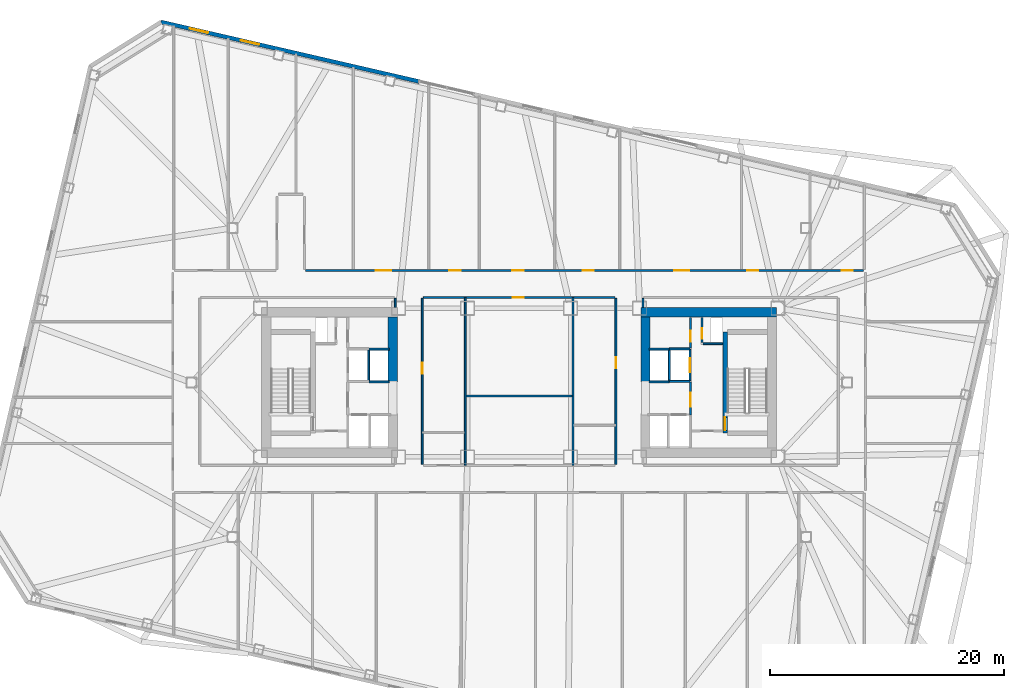
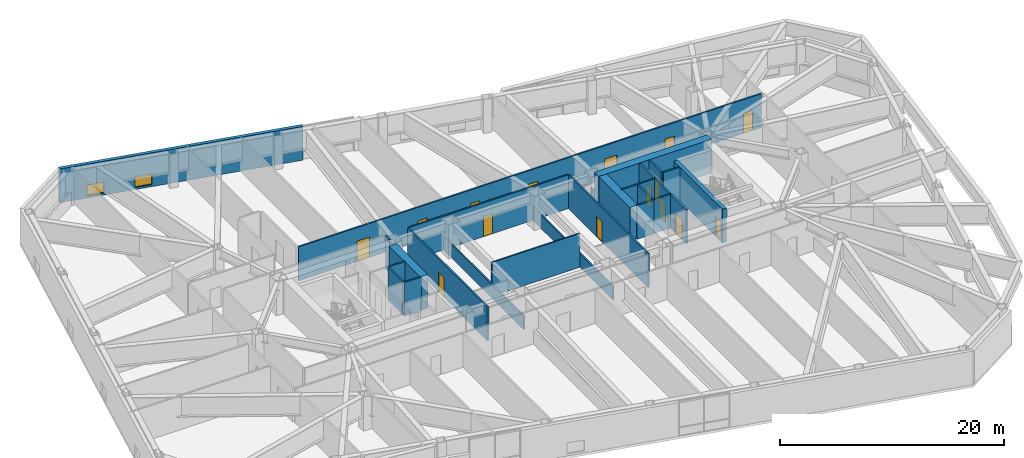
# One storey, part 12 of 19: 27 walls, 15 doors, 2 windows, 17 openings.
"""IFC4 building model written with IfcOpenShell, lengths in metres."""

from ifc_helpers import new_model, si_unit, direction, frame, frame_2d, origin, place, context, subcontext, project, spatial, rectangle, extrude, material, layer, layer_set, type_object, element, fill, save


model = new_model("IFC4")

# Units and contexts
model_context = context("Model", 3, precision=1e-05, world=origin(), true_north=direction((0.0, 1.0)))
body_context = subcontext(model_context, "Body", "Model", "MODEL_VIEW")
ifc_project = project(units=[si_unit("LENGTHUNIT", "METRE"), si_unit("AREAUNIT", "SQUARE_METRE"), si_unit("VOLUMEUNIT", "CUBIC_METRE"), si_unit("PLANEANGLEUNIT", "RADIAN"), si_unit("MASSUNIT", "GRAM", prefix="KILO")], contexts=[model_context])

# Site, building, storey
site_placement = place(None, origin())
site = spatial("IfcSite", under=ifc_project, at=site_placement, CompositionType="ELEMENT")
building_placement = place(site_placement, origin())
building = spatial("IfcBuilding", under=site, at=building_placement, Name="Tavrogorsk Clinical Tower", CompositionType="ELEMENT")
storey_placement = place(building_placement, frame((0.0, 0.0, 79.39990234375)))
storey = spatial("IfcBuildingStorey", under=building, at=storey_placement, Name="L17", CompositionType="ELEMENT", Elevation=79.39990234375)

# Wall, opening, door
ifc_material_1 = material(Name="Concrete B60", Category="concrete")
ifc_layer_1 = layer(ifc_material_1, 0.199951171875)
ifc_layer_set_1 = layer_set([ifc_layer_1], Name="Concrete B60")
wall_type_1 = type_object("IfcWallType", Name="CoreFireWall_200", PredefinedType="SOLIDWALL", material=ifc_layer_set_1)
wall_1_placement = place(storey_placement, frame((14.639892578125, 2.9599609375, 0.0), z_axis=(0.0, 0.0, 1.0), x_axis=(0.0, 1.0, 0.0)))
wall_1 = element("IfcWall", 1, at=wall_1_placement, inside=storey, type_object=wall_type_1, Name="L17 Core East North Core Room East Wall", PredefinedType="SOLIDWALL", context=body_context, shape_type="SweptSolid", body=[
    extrude(rectangle(XDim=2.60009765625, YDim=0.199951171875, at=frame_2d((1.300048828125, 0.0))), origin(), (0.0, 0.0, 1.0), 3.68017578125),
])
opening_1_placement = place(wall_1_placement, frame((0.52001953125, 0.0, 0.0)))
opening_1 = element("IfcOpeningElement", 2, at=opening_1_placement, cuts=wall_1, Name="Opening ID-02", PredefinedType="OPENING", context=body_context, shape_type="SweptSolid", body=[
    extrude(rectangle(XDim=0.949951171875, YDim=2.199951171875, at=frame_2d((0.47509765625, 1.10009765625))), frame((0.0, 0.10986328125, 0.0), z_axis=(0.0, -1.0, 0.0), x_axis=(1.0, 0.0, 0.0)), (0.0, 0.0, 1.0), 0.219970703125),
])
ifc_material_2 = material(Name="Laminated timber leaf on aluminium frame", Category="wood")
door_type_1 = type_object("IfcDoorType", Name="InteriorDoor_ID02_950", OperationType="NOTDEFINED", PredefinedType="DOOR", material=ifc_material_2)
door_1_placement = place(opening_1_placement, origin())
door_1 = element("IfcDoor", 3, at=door_1_placement, inside=storey, type_object=door_type_1, Name="L17 Core East Core Telemetry Room Door", OperationType="SINGLE_SWING_LEFT", OverallHeight=2.199951171875, OverallWidth=0.949951171875, PredefinedType="DOOR", context=body_context, shape_type="SweptSolid", body=[
    extrude(rectangle(XDim=0.949951171875, YDim=2.199951171875, at=frame_2d((0.47509765625, 1.10009765625))), frame((0.0, 0.02490234375, 0.0), z_axis=(0.0, -1.0, 0.0), x_axis=(1.0, 0.0, 0.0)), (0.0, 0.0, 1.0), 0.050048828125),
])
fill(opening_1, door_1)

wall_2_placement = place(storey_placement, frame((14.639892578125, -2.780029296875, 0.0), z_axis=(0.0, 0.0, 1.0), x_axis=(0.0, 1.0, 0.0)))
wall_2 = element("IfcWall", 4, at=wall_2_placement, inside=storey, type_object=wall_type_1, Name="L17 Core East Firefighting Lobby Fire Wall", PredefinedType="SOLIDWALL", context=body_context, shape_type="SweptSolid", body=[
    extrude(rectangle(XDim=2.820068359375, YDim=0.199951171875, at=frame_2d((1.41015625, 0.0))), origin(), (0.0, 0.0, 1.0), 3.68017578125),
])
opening_2_placement = place(wall_2_placement, frame((0.72998046875, 0.0, 0.0)))
opening_2 = element("IfcOpeningElement", 5, at=opening_2_placement, cuts=wall_2, Name="Opening FD-01", PredefinedType="OPENING", context=body_context, shape_type="SweptSolid", body=[
    extrude(rectangle(XDim=1.199951171875, YDim=2.199951171875, at=frame_2d((0.60009765625, 1.10009765625))), frame((0.0, 0.10986328125, 0.0), z_axis=(0.0, -1.0, 0.0), x_axis=(1.0, 0.0, 0.0)), (0.0, 0.0, 1.0), 0.219970703125),
])
ifc_material_3 = material(Name="Galvanised steel fire-rated door assembly", Category="steel")
door_type_2 = type_object("IfcDoorType", Name="FireDoor_FD01_1200", OperationType="NOTDEFINED", PredefinedType="DOOR", material=ifc_material_3)
door_2_placement = place(opening_2_placement, origin())
door_2 = element("IfcDoor", 6, at=door_2_placement, inside=storey, type_object=door_type_2, Name="L17 Core East Firefighting Lobby Entry Door", OperationType="SINGLE_SWING_RIGHT", OverallHeight=2.199951171875, OverallWidth=1.199951171875, PredefinedType="DOOR", context=body_context, shape_type="SweptSolid", body=[
    extrude(rectangle(XDim=1.199951171875, YDim=2.199951171875, at=frame_2d((0.60009765625, 1.10009765625))), frame((0.0, 0.02490234375, 0.0), z_axis=(0.0, -1.0, 0.0), x_axis=(1.0, 0.0, 0.0)), (0.0, 0.0, 1.0), 0.050048828125),
])
fill(opening_2, door_2)

# Walls
ifc_material_4 = material(Name="Lightweight concrete blockwork B15", Category="masonry")
ifc_layer_2 = layer(ifc_material_4, 0.139892578125)
ifc_layer_set_2 = layer_set([ifc_layer_2], Name="Lightweight concrete blockwork B15")
wall_type_2 = type_object("IfcWallType", Name="PartitionWall_140", PredefinedType="PARTITIONING", material=ifc_layer_set_2)
for number, where, z_axis, x_axis, name in (
    (7, (-4.60009765625, -7.06494140625, 0.0), (0.0, 0.0, 1.0), (0.0, 1.0, 0.0), "L17 Central Spine Partition 1"),
    (8, (4.60009765625, -7.06494140625, 0.0), (0.0, 0.0, 1.0), (0.0, 1.0, 0.0), "L17 Central Spine Partition 2"),
):
    element("IfcWall", number, at=place(storey_placement, frame(where, z_axis=z_axis, x_axis=x_axis)), inside=storey, type_object=wall_type_2, Name=name, PredefinedType="PARTITIONING", context=body_context, shape_type="SweptSolid", body=[
        extrude(rectangle(XDim=14.329833984375, YDim=0.139892578125, at=frame_2d((7.1650390625, 0.0))), origin(), (0.0, 0.0, 1.0), 1.47509765625),
    ])
wall_3_placement = place(storey_placement, frame((-4.52490234375, -1.14990234375, 0.0), z_axis=(0.0, 0.0, 1.0), x_axis=(1.0, 0.0, 0.0)))
element("IfcWall", 9, at=wall_3_placement, inside=storey, type_object=wall_type_2, Name="L17 Central Spine Partition 3", PredefinedType="PARTITIONING", context=body_context, shape_type="SweptSolid", body=[
    extrude(rectangle(XDim=9.0498046875, YDim=0.139892578125, at=frame_2d((4.52490234375, 0.0))), origin(), (0.0, 0.0, 1.0), 3.68017578125),
])

# Wall, openings, doors
ifc_material_5 = material(Name="Lightweight concrete blockwork B15", Category="masonry")
ifc_layer_3 = layer(ifc_material_5, 0.159912109375)
ifc_layer_set_3 = layer_set([ifc_layer_3], Name="Lightweight concrete blockwork B15")
wall_type_3 = type_object("IfcWallType", Name="PartitionWall_160", PredefinedType="PARTITIONING", material=ifc_layer_set_3)
wall_4_placement = place(storey_placement, frame((-18.235107421875, 9.580078125, 0.0), z_axis=(0.0, 0.0, 1.0), x_axis=(1.0, 0.0, 0.0)))
wall_4 = element("IfcWall", 10, at=wall_4_placement, inside=storey, type_object=wall_type_3, Name="L17 Corridor Partition 06", PredefinedType="PARTITIONING", context=body_context, shape_type="SweptSolid", body=[
    extrude(rectangle(XDim=47.650146484375, YDim=0.159912109375, at=frame_2d((23.8251953125, 0.0))), origin(), (0.0, 0.0, 1.0), 3.68017578125),
])
opening_3_placement = place(wall_4_placement, frame((6.010009765625, 0.0, 0.0)))
opening_3 = element("IfcOpeningElement", 11, at=opening_3_placement, cuts=wall_4, Name="Opening ID-01", PredefinedType="OPENING", context=body_context, shape_type="SweptSolid", body=[
    extrude(rectangle(XDim=1.300048828125, YDim=2.199951171875, at=frame_2d((0.64990234375, 1.10009765625))), frame((0.0, 0.08984375, 0.0), z_axis=(0.0, -1.0, 0.0), x_axis=(1.0, 0.0, 0.0)), (0.0, 0.0, 1.0), 0.179931640625),
])
opening_4_placement = place(wall_4_placement, frame((12.284912109375, 0.0, 0.0)))
opening_4 = element("IfcOpeningElement", 12, at=opening_4_placement, cuts=wall_4, Name="Opening ID-02", PredefinedType="OPENING", context=body_context, shape_type="SweptSolid", body=[
    extrude(rectangle(XDim=0.949951171875, YDim=2.199951171875, at=frame_2d((0.47509765625, 1.10009765625))), frame((0.0, 0.08984375, 0.0), z_axis=(0.0, -1.0, 0.0), x_axis=(1.0, 0.0, 0.0)), (0.0, 0.0, 1.0), 0.179931640625),
])
opening_5_placement = place(wall_4_placement, frame((17.669921875, 0.0, 0.0)))
opening_5 = element("IfcOpeningElement", 13, at=opening_5_placement, cuts=wall_4, Name="Opening ID-02", PredefinedType="OPENING", context=body_context, shape_type="SweptSolid", body=[
    extrude(rectangle(XDim=0.949951171875, YDim=2.199951171875, at=frame_2d((0.47509765625, 1.10009765625))), frame((0.0, 0.08984375, 0.0), z_axis=(0.0, -1.0, 0.0), x_axis=(1.0, 0.0, 0.0)), (0.0, 0.0, 1.0), 0.179931640625),
])
opening_6_placement = place(wall_4_placement, frame((23.669921875, 0.0, 0.0)))
opening_6 = element("IfcOpeningElement", 14, at=opening_6_placement, cuts=wall_4, Name="Opening ID-02", PredefinedType="OPENING", context=body_context, shape_type="SweptSolid", body=[
    extrude(rectangle(XDim=0.949951171875, YDim=2.199951171875, at=frame_2d((0.47509765625, 1.10009765625))), frame((0.0, 0.08984375, 0.0), z_axis=(0.0, -1.0, 0.0), x_axis=(1.0, 0.0, 0.0)), (0.0, 0.0, 1.0), 0.179931640625),
])
opening_7_placement = place(wall_4_placement, frame((31.469970703125, 0.0, 0.0)))
opening_7 = element("IfcOpeningElement", 15, at=opening_7_placement, cuts=wall_4, Name="Opening ID-01", PredefinedType="OPENING", context=body_context, shape_type="SweptSolid", body=[
    extrude(rectangle(XDim=1.300048828125, YDim=2.199951171875, at=frame_2d((0.64990234375, 1.10009765625))), frame((0.0, 0.08984375, 0.0), z_axis=(0.0, -1.0, 0.0), x_axis=(1.0, 0.0, 0.0)), (0.0, 0.0, 1.0), 0.179931640625),
])
opening_8_placement = place(wall_4_placement, frame((37.72998046875, 0.0, 0.0)))
opening_8 = element("IfcOpeningElement", 16, at=opening_8_placement, cuts=wall_4, Name="Opening ID-02", PredefinedType="OPENING", context=body_context, shape_type="SweptSolid", body=[
    extrude(rectangle(XDim=0.949951171875, YDim=2.199951171875, at=frame_2d((0.47509765625, 1.10009765625))), frame((0.0, 0.08984375, 0.0), z_axis=(0.0, -1.0, 0.0), x_axis=(1.0, 0.0, 0.0)), (0.0, 0.0, 1.0), 0.179931640625),
])
opening_9_placement = place(wall_4_placement, frame((45.785888671875, 0.0, 0.0)))
opening_9 = element("IfcOpeningElement", 17, at=opening_9_placement, cuts=wall_4, Name="Opening ID-02", PredefinedType="OPENING", context=body_context, shape_type="SweptSolid", body=[
    extrude(rectangle(XDim=0.949951171875, YDim=2.199951171875, at=frame_2d((0.47509765625, 1.10009765625))), frame((0.0, 0.08984375, 0.0), z_axis=(0.0, -1.0, 0.0), x_axis=(1.0, 0.0, 0.0)), (0.0, 0.0, 1.0), 0.179931640625),
])
door_3_placement = place(opening_4_placement, origin())
door_3 = element("IfcDoor", 18, at=door_3_placement, inside=storey, type_object=door_type_1, Name="L17 North Physician Consultation Office 03B Door", OperationType="SINGLE_SWING_LEFT", OverallHeight=2.199951171875, OverallWidth=0.949951171875, PredefinedType="DOOR", context=body_context, shape_type="SweptSolid", body=[
    extrude(rectangle(XDim=0.949951171875, YDim=2.199951171875, at=frame_2d((0.47509765625, 1.10009765625))), frame((0.0, 0.02490234375, 0.0), z_axis=(0.0, -1.0, 0.0), x_axis=(1.0, 0.0, 0.0)), (0.0, 0.0, 1.0), 0.050048828125),
])
fill(opening_4, door_3)
door_4_placement = place(opening_5_placement, origin())
door_4 = element("IfcDoor", 19, at=door_4_placement, inside=storey, type_object=door_type_1, Name="L17 North Multidisciplinary Case Room 04A Door", OperationType="SINGLE_SWING_RIGHT", OverallHeight=2.199951171875, OverallWidth=0.949951171875, PredefinedType="DOOR", context=body_context, shape_type="SweptSolid", body=[
    extrude(rectangle(XDim=0.949951171875, YDim=2.199951171875, at=frame_2d((0.47509765625, 1.10009765625))), frame((0.0, 0.02490234375, 0.0), z_axis=(0.0, -1.0, 0.0), x_axis=(1.0, 0.0, 0.0)), (0.0, 0.0, 1.0), 0.050048828125),
])
fill(opening_5, door_4)
door_5_placement = place(opening_6_placement, origin())
door_5 = element("IfcDoor", 20, at=door_5_placement, inside=storey, type_object=door_type_1, Name="L17 North Patient & Family Quiet Lounge 04B Door", OperationType="SINGLE_SWING_LEFT", OverallHeight=2.199951171875, OverallWidth=0.949951171875, PredefinedType="DOOR", context=body_context, shape_type="SweptSolid", body=[
    extrude(rectangle(XDim=0.949951171875, YDim=2.199951171875, at=frame_2d((0.47509765625, 1.10009765625))), frame((0.0, 0.02490234375, 0.0), z_axis=(0.0, -1.0, 0.0), x_axis=(1.0, 0.0, 0.0)), (0.0, 0.0, 1.0), 0.050048828125),
])
fill(opening_6, door_5)
door_6_placement = place(opening_8_placement, origin())
door_6 = element("IfcDoor", 21, at=door_6_placement, inside=storey, type_object=door_type_1, Name="L17 North Clinical Examination Suite 06 Door", OperationType="SINGLE_SWING_LEFT", OverallHeight=2.199951171875, OverallWidth=0.949951171875, PredefinedType="DOOR", context=body_context, shape_type="SweptSolid", body=[
    extrude(rectangle(XDim=0.949951171875, YDim=2.199951171875, at=frame_2d((0.47509765625, 1.10009765625))), frame((0.0, 0.02490234375, 0.0), z_axis=(0.0, -1.0, 0.0), x_axis=(1.0, 0.0, 0.0)), (0.0, 0.0, 1.0), 0.050048828125),
])
fill(opening_8, door_6)
door_7_placement = place(opening_9_placement, origin())
door_7 = element("IfcDoor", 22, at=door_7_placement, inside=storey, type_object=door_type_1, Name="L17 North Diagnostic Ultrasound Suite 07 Door", OperationType="SINGLE_SWING_RIGHT", OverallHeight=2.199951171875, OverallWidth=0.949951171875, PredefinedType="DOOR", context=body_context, shape_type="SweptSolid", body=[
    extrude(rectangle(XDim=0.949951171875, YDim=2.199951171875, at=frame_2d((0.47509765625, 1.10009765625))), frame((0.0, 0.02490234375, 0.0), z_axis=(0.0, -1.0, 0.0), x_axis=(1.0, 0.0, 0.0)), (0.0, 0.0, 1.0), 0.050048828125),
])
fill(opening_9, door_7)
ifc_material_6 = material(Name="Antibacterial HPL medical leaf on aluminium frame", Category="aluminium")
door_type_3 = type_object("IfcDoorType", Name="WardBedDoor_ID01_1300", OperationType="NOTDEFINED", PredefinedType="DOOR", material=ifc_material_6)
door_8_placement = place(opening_3_placement, origin())
door_8 = element("IfcDoor", 23, at=door_8_placement, inside=storey, type_object=door_type_3, Name="L17 North Sub-Acute Recovery Ward 03A Door", OperationType="SINGLE_SWING_RIGHT", OverallHeight=2.199951171875, OverallWidth=1.300048828125, PredefinedType="DOOR", context=body_context, shape_type="SweptSolid", body=[
    extrude(rectangle(XDim=1.300048828125, YDim=2.199951171875, at=frame_2d((0.64990234375, 1.10009765625))), frame((0.0, 0.02490234375, 0.0), z_axis=(0.0, -1.0, 0.0), x_axis=(1.0, 0.0, 0.0)), (0.0, 0.0, 1.0), 0.050048828125),
])
fill(opening_3, door_8)
door_9_placement = place(opening_7_placement, origin())
door_9 = element("IfcDoor", 24, at=door_9_placement, inside=storey, type_object=door_type_3, Name="L17 North Inpatient Clinical Ward 05 Door", OperationType="SINGLE_SWING_RIGHT", OverallHeight=2.199951171875, OverallWidth=1.300048828125, PredefinedType="DOOR", context=body_context, shape_type="SweptSolid", body=[
    extrude(rectangle(XDim=1.300048828125, YDim=2.199951171875, at=frame_2d((0.64990234375, 1.10009765625))), frame((0.0, 0.02490234375, 0.0), z_axis=(0.0, -1.0, 0.0), x_axis=(1.0, 0.0, 0.0)), (0.0, 0.0, 1.0), 0.050048828125),
])
fill(opening_7, door_9)

# Wall
wall_5_placement = place(storey_placement, frame((10.580078125, 7.18505859375, 0.0), z_axis=(0.0, 0.0, 1.0), x_axis=(0.0, -1.0, 0.0)))
element("IfcWall", 25, at=wall_5_placement, inside=storey, type_object=wall_type_3, Name="L17 Corridor Partition 10", PredefinedType="PARTITIONING", context=body_context, shape_type="SweptSolid", body=[
    extrude(rectangle(XDim=0.76513671875, YDim=0.159912109375, at=frame_2d((0.382568359375, 0.0))), origin(), (0.0, 0.0, 1.0), 1.47509765625),
])

# Wall, opening, door
wall_6_placement = place(storey_placement, frame((8.27001953125, -6.985107421875, 0.0), z_axis=(0.0, 0.0, 1.0), x_axis=(0.0, 1.0, 0.0)))
wall_6 = element("IfcWall", 26, at=wall_6_placement, inside=storey, type_object=wall_type_3, Name="L17 Corridor Partition 14", PredefinedType="PARTITIONING", context=body_context, shape_type="SweptSolid", body=[
    extrude(rectangle(XDim=14.170166015625, YDim=0.159912109375, at=frame_2d((7.0849609375, 0.0))), origin(), (0.0, 0.0, 1.0), 3.68017578125),
])
opening_10_placement = place(wall_6_placement, frame((8.2109375, 0.0, 0.0)))
opening_10 = element("IfcOpeningElement", 27, at=opening_10_placement, cuts=wall_6, Name="Opening ID-02", PredefinedType="OPENING", context=body_context, shape_type="SweptSolid", body=[
    extrude(rectangle(XDim=0.949951171875, YDim=2.199951171875, at=frame_2d((0.47509765625, 1.10009765625))), frame((0.0, 0.08984375, 0.0), z_axis=(0.0, -1.0, 0.0), x_axis=(1.0, 0.0, 0.0)), (0.0, 0.0, 1.0), 0.179931640625),
])
door_10_placement = place(opening_10_placement, origin())
door_10 = element("IfcDoor", 28, at=door_10_placement, inside=storey, type_object=door_type_1, Name="L17 Attending Physician Office Door", OperationType="SINGLE_SWING_RIGHT", OverallHeight=2.199951171875, OverallWidth=0.949951171875, PredefinedType="DOOR", context=body_context, shape_type="SweptSolid", body=[
    extrude(rectangle(XDim=0.949951171875, YDim=2.199951171875, at=frame_2d((0.47509765625, 1.10009765625))), frame((0.0, 0.02490234375, 0.0), z_axis=(0.0, -1.0, 0.0), x_axis=(1.0, 0.0, 0.0)), (0.0, 0.0, 1.0), 0.050048828125),
])
fill(opening_10, door_10)

wall_7_placement = place(storey_placement, frame((8.18505859375, 7.27001953125, 0.0), z_axis=(0.0, 0.0, 1.0), x_axis=(-1.0, 0.0, 0.0)))
wall_7 = element("IfcWall", 29, at=wall_7_placement, inside=storey, type_object=wall_type_3, Name="L17 Corridor Partition 15", PredefinedType="PARTITIONING", context=body_context, shape_type="SweptSolid", body=[
    extrude(rectangle(XDim=16.3701171875, YDim=0.159912109375, at=frame_2d((8.18505859375, 0.0))), origin(), (0.0, 0.0, 1.0), 3.68017578125),
])
opening_11_placement = place(wall_7_placement, frame((7.794921875, 0.0, 0.0)))
opening_11 = element("IfcOpeningElement", 30, at=opening_11_placement, cuts=wall_7, Name="Opening ID-02", PredefinedType="OPENING", context=body_context, shape_type="SweptSolid", body=[
    extrude(rectangle(XDim=0.949951171875, YDim=2.199951171875, at=frame_2d((0.47509765625, 1.10009765625))), frame((0.0, 0.08984375, 0.0), z_axis=(0.0, -1.0, 0.0), x_axis=(1.0, 0.0, 0.0)), (0.0, 0.0, 1.0), 0.179931640625),
])
door_11_placement = place(opening_11_placement, origin())
door_11 = element("IfcDoor", 31, at=door_11_placement, inside=storey, type_object=door_type_1, Name="L17 Nurses' Station & Triage Hub Door", OperationType="SINGLE_SWING_RIGHT", OverallHeight=2.199951171875, OverallWidth=0.949951171875, PredefinedType="DOOR", context=body_context, shape_type="SweptSolid", body=[
    extrude(rectangle(XDim=0.949951171875, YDim=2.199951171875, at=frame_2d((0.47509765625, 1.10009765625))), frame((0.0, 0.02490234375, 0.0), z_axis=(0.0, -1.0, 0.0), x_axis=(1.0, 0.0, 0.0)), (0.0, 0.0, 1.0), 0.050048828125),
])
fill(opening_11, door_11)

wall_8_placement = place(storey_placement, frame((-8.27001953125, 7.18505859375, 0.0), z_axis=(0.0, 0.0, 1.0), x_axis=(0.0, -1.0, 0.0)))
wall_8 = element("IfcWall", 32, at=wall_8_placement, inside=storey, type_object=wall_type_3, Name="L17 Corridor Partition 16", PredefinedType="PARTITIONING", context=body_context, shape_type="SweptSolid", body=[
    extrude(rectangle(XDim=14.170166015625, YDim=0.159912109375, at=frame_2d((7.0849609375, 0.0))), origin(), (0.0, 0.0, 1.0), 3.68017578125),
])
opening_12_placement = place(wall_8_placement, frame((5.47900390625, 0.0, 0.0)))
opening_12 = element("IfcOpeningElement", 33, at=opening_12_placement, cuts=wall_8, Name="Opening ID-02", PredefinedType="OPENING", context=body_context, shape_type="SweptSolid", body=[
    extrude(rectangle(XDim=0.949951171875, YDim=2.199951171875, at=frame_2d((0.47509765625, 1.10009765625))), frame((0.0, 0.08984375, 0.0), z_axis=(0.0, -1.0, 0.0), x_axis=(1.0, 0.0, 0.0)), (0.0, 0.0, 1.0), 0.179931640625),
])
door_12_placement = place(opening_12_placement, origin())
door_12 = element("IfcDoor", 34, at=door_12_placement, inside=storey, type_object=door_type_1, Name="L17 Ward Nourishment Pantry Door", OperationType="SINGLE_SWING_RIGHT", OverallHeight=2.199951171875, OverallWidth=0.949951171875, PredefinedType="DOOR", context=body_context, shape_type="SweptSolid", body=[
    extrude(rectangle(XDim=0.949951171875, YDim=2.199951171875, at=frame_2d((0.47509765625, 1.10009765625))), frame((0.0, 0.02490234375, 0.0), z_axis=(0.0, -1.0, 0.0), x_axis=(1.0, 0.0, 0.0)), (0.0, 0.0, 1.0), 0.050048828125),
])
fill(opening_12, door_12)

# Wall
wall_9_placement = place(storey_placement, frame((-10.580078125, 6.419921875, 0.0), z_axis=(0.0, 0.0, 1.0), x_axis=(0.0, 1.0, 0.0)))
element("IfcWall", 35, at=wall_9_placement, inside=storey, type_object=wall_type_3, Name="L17 Corridor Partition 19", PredefinedType="PARTITIONING", context=body_context, shape_type="SweptSolid", body=[
    extrude(rectangle(XDim=0.76513671875, YDim=0.159912109375, at=frame_2d((0.382568359375, 0.0))), origin(), (0.0, 0.0, 1.0), 3.68017578125),
])

# Wall, openings, windows
ifc_material_7 = material(Name="Precast concrete B45 with limestone cladding", Category="masonry")
ifc_layer_4 = layer(ifc_material_7, 0.340087890625)
ifc_layer_set_4 = layer_set([ifc_layer_4], Name="Precast concrete B45 with limestone cladding")
wall_type_4 = type_object("IfcWallType", Name="PrecastLimestoneWall_340", PredefinedType="STANDARD", material=ifc_layer_set_4)
wall_10_placement = place(storey_placement, frame((-8.5166015625, 25.711181640625, 0.0), z_axis=(0.0, 0.0, 1.0), x_axis=(-0.974372845456, 0.224939009598, 0.0)))
wall_10 = element("IfcWall", 36, at=wall_10_placement, inside=storey, type_object=wall_type_4, Name="L17 N Limestone Facade Wall 3", PredefinedType="STANDARD", context=body_context, shape_type="SweptSolid", body=[
    extrude(rectangle(XDim=22.651611328125, YDim=0.340087890625, at=frame_2d((11.32568359375, 0.0))), origin(), (0.0, 0.0, 1.0), 3.68017578125),
])
opening_13_placement = place(wall_10_placement, frame((18.539306640625, 0.0, 0.219970703125)))
opening_13 = element("IfcOpeningElement", 37, at=opening_13_placement, cuts=wall_10, Name="Opening WN-09", PredefinedType="OPENING", context=body_context, shape_type="SweptSolid", body=[
    extrude(rectangle(XDim=1.60009765625, YDim=1.199951171875, at=frame_2d((0.800048828125, 0.60009765625))), frame((0.0, 0.179931640625, 0.0), z_axis=(0.0, -1.0, 0.0), x_axis=(1.0, 0.0, 0.0)), (0.0, 0.0, 1.0), 0.360107421875),
])
opening_14_placement = place(wall_10_placement, frame((14.054931640625, 0.0, 0.219970703125)))
opening_14 = element("IfcOpeningElement", 38, at=opening_14_placement, cuts=wall_10, Name="Opening WN-09", PredefinedType="OPENING", context=body_context, shape_type="SweptSolid", body=[
    extrude(rectangle(XDim=1.60009765625, YDim=1.199951171875, at=frame_2d((0.800048828125, 0.60009765625))), frame((0.0, 0.179931640625, 0.0), z_axis=(0.0, -1.0, 0.0), x_axis=(1.0, 0.0, 0.0)), (0.0, 0.0, 1.0), 0.360107421875),
])
ifc_material_8 = material(Name="Thermally broken aluminium frame and triple IGU", Category="aluminium")
window_type = type_object("IfcWindowType", Name="LowHeadTransWin_1600x1200", PartitioningType="DOUBLE_PANEL_VERTICAL", PredefinedType="WINDOW", material=ifc_material_8)
window_1_placement = place(opening_13_placement, origin())
window_1 = element("IfcWindow", 39, at=window_1_placement, inside=storey, type_object=window_type, Name="L17 N Chicago Window 01", OverallHeight=1.199951171875, OverallWidth=1.60009765625, PartitioningType="SINGLE_PANEL", PredefinedType="WINDOW", context=body_context, shape_type="SweptSolid", body=[
    extrude(rectangle(XDim=1.60009765625, YDim=1.199951171875, at=frame_2d((0.800048828125, 0.60009765625))), frame((0.0, 0.030029296875, 0.0), z_axis=(0.0, -1.0, 0.0), x_axis=(1.0, 0.0, 0.0)), (0.0, 0.0, 1.0), 0.06005859375),
])
fill(opening_13, window_1)
window_2_placement = place(opening_14_placement, origin())
window_2 = element("IfcWindow", 40, at=window_2_placement, inside=storey, type_object=window_type, Name="L17 N Chicago Window 02", OverallHeight=1.199951171875, OverallWidth=1.60009765625, PartitioningType="SINGLE_PANEL", PredefinedType="WINDOW", context=body_context, shape_type="SweptSolid", body=[
    extrude(rectangle(XDim=1.60009765625, YDim=1.199951171875, at=frame_2d((0.800048828125, 0.60009765625))), frame((0.0, 0.030029296875, 0.0), z_axis=(0.0, -1.0, 0.0), x_axis=(1.0, 0.0, 0.0)), (0.0, 0.0, 1.0), 0.06005859375),
])
fill(opening_14, window_2)

# Walls
ifc_material_9 = material(Name="Lightweight concrete blockwork B25", Category="masonry")
ifc_layer_5 = layer(ifc_material_9, 0.159912109375)
ifc_layer_set_5 = layer_set([ifc_layer_5], Name="Lightweight concrete blockwork B25")
wall_type_5 = type_object("IfcWallType", Name="ShaftWall_160", PredefinedType="PARTITIONING", material=ifc_layer_set_5)
wall_11_placement = place(storey_placement, frame((-12.840087890625, 0.179931640625, 0.0), z_axis=(0.0, 0.0, 1.0), x_axis=(0.0, 1.0, 0.0)))
element("IfcWall", 41, at=wall_11_placement, inside=storey, type_object=wall_type_5, Name="L17 FFL-W Shaft Back Wall", PredefinedType="PARTITIONING", context=body_context, shape_type="SweptSolid", body=[
    extrude(rectangle(XDim=2.6201171875, YDim=0.159912109375, at=frame_2d((1.31005859375, 0.0))), origin(), (0.0, 0.0, 1.0), 3.68017578125),
])
for number, where, z_axis, x_axis, name in (
    (42, (-12.820068359375, 0.06005859375, 0.0), (0.0, 0.0, 1.0), (1.0, 0.0, 0.0), "L17 LP-H1 High-Zone Lift Portal Wall"),
    (43, (-12.820068359375, 2.860107421875, 0.0), (0.0, 0.0, 1.0), (1.0, 0.0, 0.0), "L17 LP-H1 High-Zone Lift Rear Wall"),
):
    element("IfcWall", number, at=place(storey_placement, frame(where, z_axis=z_axis, x_axis=x_axis)), inside=storey, type_object=wall_type_5, Name=name, PredefinedType="PARTITIONING", context=body_context, shape_type="SweptSolid", body=[
        extrude(rectangle(XDim=1.719970703125, YDim=0.159912109375, at=frame_2d((0.85986328125, 0.0))), origin(), (0.0, 0.0, 1.0), 3.68017578125),
    ])

# Wall, opening, door
wall_12_placement = place(storey_placement, frame((14.60009765625, 0.1201171875, 0.0), z_axis=(0.0, 0.0, 1.0), x_axis=(0.0, 1.0, 0.0)))
wall_12 = element("IfcWall", 44, at=wall_12_placement, inside=storey, type_object=wall_type_5, Name="L17 FFL-E Firefighting Lift Front Wall", PredefinedType="PARTITIONING", context=body_context, shape_type="SweptSolid", body=[
    extrude(rectangle(XDim=2.739990234375, YDim=0.159912109375, at=frame_2d((1.3701171875, 0.0))), origin(), (0.0, 0.0, 1.0), 3.68017578125),
])
opening_15_placement = place(wall_12_placement, frame((0.77001953125, 0.0, 0.0)))
opening_15 = element("IfcOpeningElement", 45, at=opening_15_placement, cuts=wall_12, Name="Opening LD", PredefinedType="OPENING", context=body_context, shape_type="SweptSolid", body=[
    extrude(rectangle(XDim=1.199951171875, YDim=2.199951171875, at=frame_2d((0.60009765625, 1.10009765625))), frame((0.0, 0.08984375, 0.0), z_axis=(0.0, -1.0, 0.0), x_axis=(1.0, 0.0, 0.0)), (0.0, 0.0, 1.0), 0.179931640625),
])
ifc_material_10 = material(Name="Brushed stainless steel AISI 304 sliding doors", Category="steel")
door_type_4 = type_object("IfcDoorType", Name="LiftLandingDoor_LD_1200", OperationType="SLIDING_TO_LEFT", PredefinedType="DOOR", material=ifc_material_10)
door_13_placement = place(opening_15_placement, origin())
door_13 = element("IfcDoor", 46, at=door_13_placement, inside=storey, type_object=door_type_4, Name="L17 FFL-E Sliding Lift Landing Door", OperationType="SLIDING_TO_LEFT", OverallHeight=2.199951171875, OverallWidth=1.199951171875, PredefinedType="DOOR", context=body_context, shape_type="SweptSolid", body=[
    extrude(rectangle(XDim=1.199951171875, YDim=2.199951171875, at=frame_2d((0.60009765625, 1.10009765625))), frame((0.0, 0.02490234375, 0.0), z_axis=(0.0, -1.0, 0.0), x_axis=(1.0, 0.0, 0.0)), (0.0, 0.0, 1.0), 0.050048828125),
])
fill(opening_15, door_13)

# Walls
for number, where, z_axis, x_axis, name in (
    (47, (12.840087890625, 0.10009765625, 0.0), (0.0, 0.0, 1.0), (1.0, 0.0, 0.0), "L17 FFL-E Shaft South Wall"),
    (48, (12.840087890625, 2.8798828125, 0.0), (0.0, 0.0, 1.0), (1.0, 0.0, 0.0), "L17 FFL-E Shaft North Wall"),
):
    element("IfcWall", number, at=place(storey_placement, frame(where, z_axis=z_axis, x_axis=x_axis)), inside=storey, type_object=wall_type_5, Name=name, PredefinedType="PARTITIONING", context=body_context, shape_type="SweptSolid", body=[
        extrude(rectangle(XDim=1.760009765625, YDim=0.159912109375, at=frame_2d((0.8798828125, 0.0))), origin(), (0.0, 0.0, 1.0), 3.68017578125),
    ])
wall_13_placement = place(storey_placement, frame((12.840087890625, 0.179931640625, 0.0), z_axis=(0.0, 0.0, 1.0), x_axis=(0.0, 1.0, 0.0)))
element("IfcWall", 49, at=wall_13_placement, inside=storey, type_object=wall_type_5, Name="L17 FFL-E Shaft Back Wall", PredefinedType="PARTITIONING", context=body_context, shape_type="SweptSolid", body=[
    extrude(rectangle(XDim=2.6201171875, YDim=0.159912109375, at=frame_2d((1.31005859375, 0.0))), origin(), (0.0, 0.0, 1.0), 3.68017578125),
])
for number, where, z_axis, x_axis, name in (
    (50, (11.10009765625, 0.06005859375, 0.0), (0.0, 0.0, 1.0), (1.0, 0.0, 0.0), "L17 LP-H2 High-Zone Lift Portal Wall"),
    (51, (11.10009765625, 2.860107421875, 0.0), (0.0, 0.0, 1.0), (1.0, 0.0, 0.0), "L17 LP-H2 High-Zone Lift Rear Wall"),
):
    element("IfcWall", number, at=place(storey_placement, frame(where, z_axis=z_axis, x_axis=x_axis)), inside=storey, type_object=wall_type_5, Name=name, PredefinedType="PARTITIONING", context=body_context, shape_type="SweptSolid", body=[
        extrude(rectangle(XDim=1.719970703125, YDim=0.159912109375, at=frame_2d((0.85986328125, 0.0))), origin(), (0.0, 0.0, 1.0), 3.68017578125),
    ])

# Wall, opening, door
wall_14_placement = place(storey_placement, frame((15.639892578125, 3.405029296875, 0.0), z_axis=(0.0, 0.0, 1.0), x_axis=(0.0, 1.0, 0.0)))
wall_14 = element("IfcWall", 52, at=wall_14_placement, inside=storey, type_object=wall_type_5, Name="L17 Core East Riser West Wall", PredefinedType="PARTITIONING", context=body_context, shape_type="SweptSolid", body=[
    extrude(rectangle(XDim=2.155029296875, YDim=0.159912109375, at=frame_2d((1.07763671875, 0.0))), origin(), (0.0, 0.0, 1.0), 3.68017578125),
])
opening_16_placement = place(wall_14_placement, frame((0.35009765625, 0.0, 0.0)))
opening_16 = element("IfcOpeningElement", 53, at=opening_16_placement, cuts=wall_14, Name="Opening FD-02", PredefinedType="OPENING", context=body_context, shape_type="SweptSolid", body=[
    extrude(rectangle(XDim=0.89990234375, YDim=2.199951171875, at=frame_2d((0.449951171875, 1.10009765625))), frame((0.0, 0.08984375, 0.0), z_axis=(0.0, -1.0, 0.0), x_axis=(1.0, 0.0, 0.0)), (0.0, 0.0, 1.0), 0.179931640625),
])
ifc_material_11 = material(Name="Galvanised steel fire-rated door assembly", Category="steel")
door_type_5 = type_object("IfcDoorType", Name="FireDoor_FD02_900", OperationType="NOTDEFINED", PredefinedType="DOOR", material=ifc_material_11)
door_14_placement = place(opening_16_placement, origin())
door_14 = element("IfcDoor", 54, at=door_14_placement, inside=storey, type_object=door_type_5, Name="L17 Core East Electrical Riser Access Door", OperationType="SINGLE_SWING_LEFT", OverallHeight=2.199951171875, OverallWidth=0.89990234375, PredefinedType="DOOR", context=body_context, shape_type="SweptSolid", body=[
    extrude(rectangle(XDim=0.89990234375, YDim=2.199951171875, at=frame_2d((0.449951171875, 1.10009765625))), frame((0.0, 0.02490234375, 0.0), z_axis=(0.0, -1.0, 0.0), x_axis=(1.0, 0.0, 0.0)), (0.0, 0.0, 1.0), 0.050048828125),
])
fill(opening_16, door_14)

# Wall
wall_15_placement = place(storey_placement, frame((15.72509765625, 3.320068359375, 0.0), z_axis=(0.0, 0.0, 1.0), x_axis=(1.0, 0.0, 0.0)))
element("IfcWall", 55, at=wall_15_placement, inside=storey, type_object=wall_type_5, Name="L17 Core East Riser South Wall", PredefinedType="PARTITIONING", context=body_context, shape_type="SweptSolid", body=[
    extrude(rectangle(XDim=1.65478515625, YDim=0.159912109375, at=frame_2d((0.827392578125, 0.0))), origin(), (0.0, 0.0, 1.0), 3.68017578125),
])

# Wall, opening, door
ifc_material_12 = material(Name="Concrete B80", Category="concrete")
ifc_layer_6 = layer(ifc_material_12, 0.39990234375)
ifc_layer_set_6 = layer_set([ifc_layer_6], Name="Concrete B80")
wall_type_6 = type_object("IfcWallType", Name="ShearWall_400", PredefinedType="SHEAR", material=ifc_layer_set_6)
wall_16_placement = place(storey_placement, frame((17.60009765625, -4.324951171875, 0.0), z_axis=(0.0, 0.0, 1.0), x_axis=(0.0, 1.0, 0.0)))
wall_16 = element("IfcWall", 56, at=wall_16_placement, inside=storey, type_object=wall_type_6, Name="L17 Core East Stair Shaft Inner Shear Wall", PredefinedType="SHEAR", context=body_context, shape_type="SweptSolid", body=[
    extrude(rectangle(XDim=8.64990234375, YDim=0.39990234375, at=frame_2d((4.324951171875, 0.0))), origin(), (0.0, 0.0, 1.0), 3.68017578125),
])
opening_17_placement = place(wall_16_placement, frame((0.25, 0.0, 0.0)))
opening_17 = element("IfcOpeningElement", 57, at=opening_17_placement, cuts=wall_16, Name="Opening SD-01", PredefinedType="OPENING", context=body_context, shape_type="SweptSolid", body=[
    extrude(rectangle(XDim=1.10009765625, YDim=2.199951171875, at=frame_2d((0.550048828125, 1.10009765625))), frame((0.0, 0.2099609375, 0.0), z_axis=(0.0, -1.0, 0.0), x_axis=(1.0, 0.0, 0.0)), (0.0, 0.0, 1.0), 0.419921875),
])
ifc_material_13 = material(Name="Galvanised steel smoke-tight fire door assembly", Category="steel")
door_type_6 = type_object("IfcDoorType", Name="StairFireDoor_SD01_1100", OperationType="NOTDEFINED", PredefinedType="DOOR", material=ifc_material_13)
door_15_placement = place(opening_17_placement, origin())
door_15 = element("IfcDoor", 58, at=door_15_placement, inside=storey, type_object=door_type_6, Name="L17 ST-E Exit Stair Door", OperationType="SINGLE_SWING_LEFT", OverallHeight=2.199951171875, OverallWidth=1.10009765625, PredefinedType="DOOR", context=body_context, shape_type="SweptSolid", body=[
    extrude(rectangle(XDim=1.10009765625, YDim=2.199951171875, at=frame_2d((0.550048828125, 1.10009765625))), frame((0.0, 0.02490234375, 0.0), z_axis=(0.0, -1.0, 0.0), x_axis=(1.0, 0.0, 0.0)), (0.0, 0.0, 1.0), 0.050048828125),
])
fill(opening_17, door_15)

# Walls
ifc_material_14 = material(Name="Concrete B80", Category="concrete")
ifc_layer_7 = layer(ifc_material_14, 0.800048828125)
ifc_layer_set_7 = layer_set([ifc_layer_7], Name="Concrete B80")
wall_type_7 = type_object("IfcWallType", Name="ShearWall_800", PredefinedType="SHEAR", material=ifc_layer_set_7)
wall_17_placement = place(storey_placement, frame((-10.800048828125, 0.050048828125, 0.0), z_axis=(0.0, 0.0, 1.0), x_axis=(0.0, 1.0, 0.0)))
element("IfcWall", 59, at=wall_17_placement, inside=storey, type_object=wall_type_7, Name="L17 Core West Inner North Pier", PredefinedType="SHEAR", context=body_context, shape_type="SweptSolid", body=[
    extrude(rectangle(XDim=5.550048828125, YDim=0.800048828125, at=frame_2d((2.77490234375, 0.0))), origin(), (0.0, 0.0, 1.0), 3.68017578125),
])
wall_18_placement = place(storey_placement, frame((10.39990234375, 6.0, 0.0), z_axis=(0.0, 0.0, 1.0), x_axis=(1.0, 0.0, 0.0)))
element("IfcWall", 60, at=wall_18_placement, inside=storey, type_object=wall_type_7, Name="L17 Core East North Shear Wall", PredefinedType="SHEAR", context=body_context, shape_type="SweptSolid", body=[
    extrude(rectangle(XDim=11.60009765625, YDim=0.800048828125, at=frame_2d((5.800048828125, 0.0))), origin(), (0.0, 0.0, 1.0), 3.68017578125),
])
wall_19_placement = place(storey_placement, frame((10.800048828125, 0.050048828125, 0.0), z_axis=(0.0, 0.0, 1.0), x_axis=(0.0, 1.0, 0.0)))
element("IfcWall", 61, at=wall_19_placement, inside=storey, type_object=wall_type_7, Name="L17 Core East Inner North Pier", PredefinedType="SHEAR", context=body_context, shape_type="SweptSolid", body=[
    extrude(rectangle(XDim=5.550048828125, YDim=0.800048828125, at=frame_2d((2.77490234375, 0.0))), origin(), (0.0, 0.0, 1.0), 3.68017578125),
])

save(model, "model.ifc")
